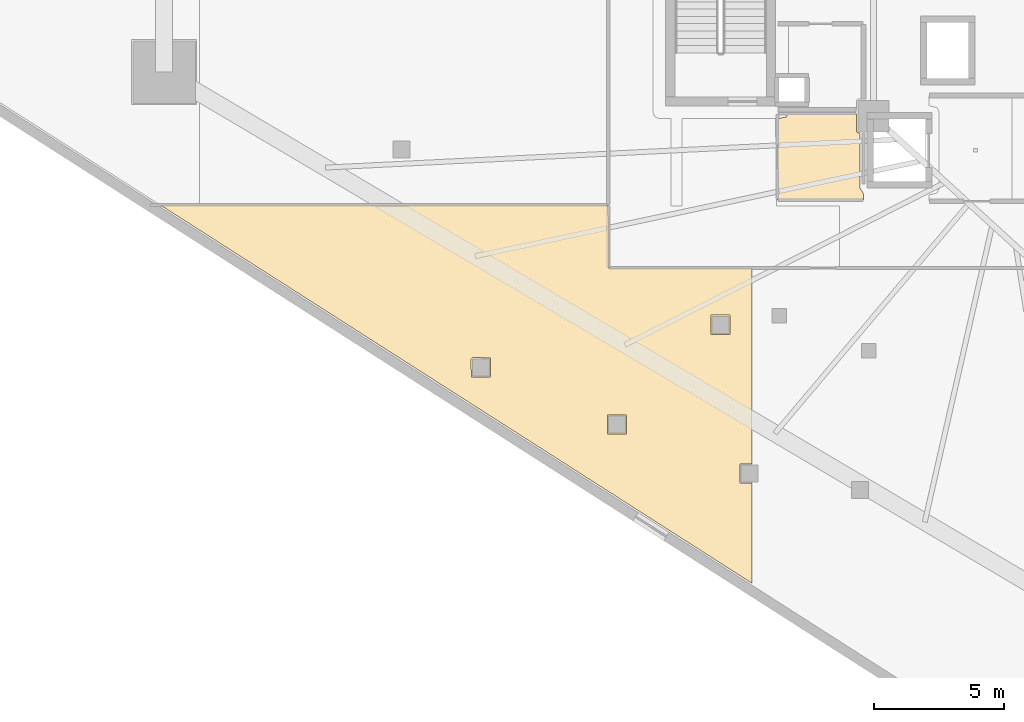
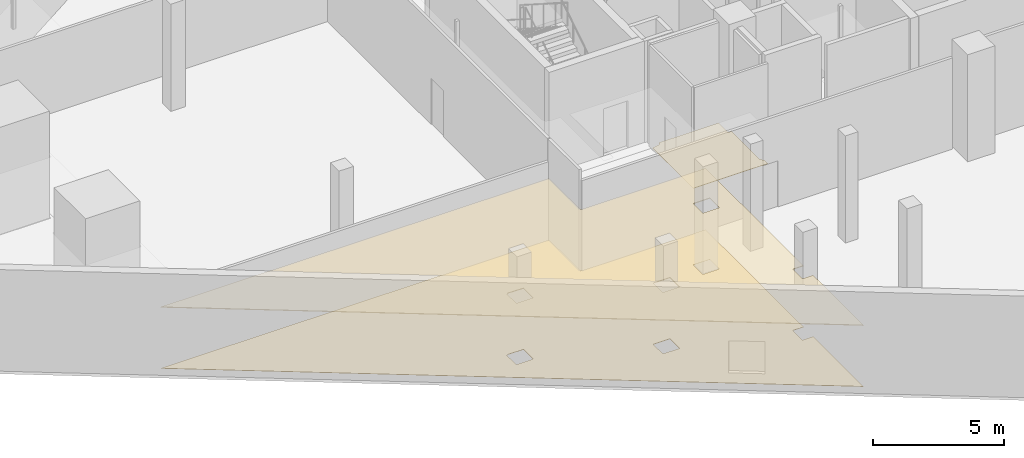
# One storey, part 38 of 46: 3 coverings.
"""IFC4 building model written with IfcOpenShell, lengths in metres."""

from ifc_helpers import new_model, si_unit, direction, frame, origin, place, context, subcontext, project, spatial, polyline, outline, extrude, material, layer, layer_set, type_object, element, save


model = new_model("IFC4")

# Units and contexts
model_context = context("Model", 3, precision=1e-05, world=origin(), true_north=direction((0.0, 1.0)))
body_context = subcontext(model_context, "Body", "Model", "MODEL_VIEW")
ifc_project = project(units=[si_unit("LENGTHUNIT", "METRE"), si_unit("AREAUNIT", "SQUARE_METRE"), si_unit("VOLUMEUNIT", "CUBIC_METRE"), si_unit("PLANEANGLEUNIT", "RADIAN"), si_unit("MASSUNIT", "GRAM", prefix="KILO")], contexts=[model_context])

# Site, building, storey
site_placement = place(None, origin())
site = spatial("IfcSite", under=ifc_project, at=site_placement, CompositionType="ELEMENT")
building_placement = place(site_placement, origin())
building = spatial("IfcBuilding", under=site, at=building_placement, Name="Qorvath Tower", CompositionType="ELEMENT")
storey_placement = place(building_placement, frame((0.0, 0.0, 17.0)))
storey = spatial("IfcBuildingStorey", under=building, at=storey_placement, Name="L03", CompositionType="ELEMENT", Elevation=17.0)

# Coverings
ifc_material_1 = material(Name="Acoustic mineral fibre ceiling tile", Category="gypsum")
ifc_layer_1 = layer(ifc_material_1, 0.030029296875)
ifc_layer_set_1 = layer_set([ifc_layer_1], Name="COV-CEIL")
covering_type_1 = type_object("IfcCoveringType", Name="COV-CEIL", PredefinedType="CEILING", material=ifc_layer_set_1)
covering_1_placement = place(storey_placement, frame((0.0, 0.0, 2.85009765625)))
element("IfcCovering", 1, at=covering_1_placement, inside=storey, type_object=covering_type_1, Name="L03 Suspended Acoustic Ceiling 012", PredefinedType="CEILING", context=body_context, shape_type="SweptSolid", body=[
    extrude(outline(polyline([(-35.147705078125, -23.04248046875), (-35.147705078125, -19.19677734375), (-35.619140625, -19.19677734375), (-35.619140625, -18.4619140625), (-35.147705078125, -18.4619140625), (-35.147705078125, -10.962890625), (-40.657958984375, -10.962890625), (-40.6630859375, -8.554931640625), (-57.815185546875, -8.554931640625), (-35.147705078125, -23.04248046875)]), holes=[polyline([(-36.732177734375, -12.76806640625), (-35.997314453125, -12.76806640625), (-35.997314453125, -13.5029296875), (-36.732177734375, -13.5029296875), (-36.732177734375, -12.76806640625)]), polyline([(-40.699951171875, -16.58837890625), (-39.965087890625, -16.58837890625), (-39.965087890625, -17.3232421875), (-40.699951171875, -17.3232421875), (-40.699951171875, -16.58837890625)]), polyline([(-45.92138671875, -14.44970703125), (-45.861328125, -14.3896484375), (-45.1689453125, -14.4072265625), (-45.1689453125, -15.14208984375), (-45.90380859375, -15.14208984375), (-45.92138671875, -14.44970703125)])]), origin(), (0.0, 0.0, 1.0), 0.030029296875),
])
ifc_material_2 = material(Name="Low-VOC modular carpet tile", Category="textile")
ifc_layer_2 = layer(ifc_material_2, 0.014892578125)
ifc_layer_set_2 = layer_set([ifc_layer_2], Name="COV-FLOOR-CPT")
covering_type_2 = type_object("IfcCoveringType", Name="COV-FLOOR-CPT", PredefinedType="FLOORING", material=ifc_layer_set_2)
covering_2_placement = place(storey_placement, origin())
element("IfcCovering", 2, at=covering_2_placement, inside=storey, type_object=covering_type_2, Name="L03 Floor Finish 012", PredefinedType="FLOORING", context=body_context, shape_type="SweptSolid", body=[
    extrude(outline(polyline([(-35.147705078125, -23.04248046875), (-35.147705078125, -19.19677734375), (-35.619140625, -19.19677734375), (-35.619140625, -18.4619140625), (-35.147705078125, -18.4619140625), (-35.147705078125, -10.962890625), (-40.657958984375, -10.962890625), (-40.6630859375, -8.554931640625), (-57.815185546875, -8.554931640625), (-35.147705078125, -23.04248046875)]), holes=[polyline([(-36.732177734375, -12.76806640625), (-35.997314453125, -12.76806640625), (-35.997314453125, -13.5029296875), (-36.732177734375, -13.5029296875), (-36.732177734375, -12.76806640625)]), polyline([(-40.699951171875, -16.58837890625), (-39.965087890625, -16.58837890625), (-39.965087890625, -17.3232421875), (-40.699951171875, -17.3232421875), (-40.699951171875, -16.58837890625)]), polyline([(-45.92138671875, -14.44970703125), (-45.861328125, -14.3896484375), (-45.1689453125, -14.4072265625), (-45.1689453125, -15.14208984375), (-45.90380859375, -15.14208984375), (-45.92138671875, -14.44970703125)])]), origin(), (0.0, 0.0, 1.0), 0.014892578125),
])
ifc_material_3 = material(Name="Polished epoxy terrazzo flooring", Category="concrete")
ifc_layer_3 = layer(ifc_material_3, 0.02001953125)
ifc_layer_set_3 = layer_set([ifc_layer_3], Name="COV-FLOOR-TRZ")
covering_type_3 = type_object("IfcCoveringType", Name="COV-FLOOR-TRZ", PredefinedType="FLOORING", material=ifc_layer_set_3)
covering_3_placement = place(storey_placement, origin())
element("IfcCovering", 3, at=covering_3_placement, inside=storey, type_object=covering_type_3, Name="L03 Floor Finish 005", PredefinedType="FLOORING", context=body_context, shape_type="SweptSolid", body=[
    extrude(outline(polyline([(-31.159912109375, -5.054931640625), (-33.786865234375, -5.054931640625), (-33.833251953125, -5.166748046875), (-34.175048828125, -5.239990234375), (-34.175048828125, -8.344970703125), (-30.885009765625, -8.344970703125), (-30.885009765625, -8.108154296875), (-31.010009765625, -7.909912109375), (-31.010009765625, -5.81005859375), (-31.159912109375, -5.75), (-31.159912109375, -5.054931640625)])), origin(), (0.0, 0.0, 1.0), 0.014892578125),
])

save(model, "model.ifc")
